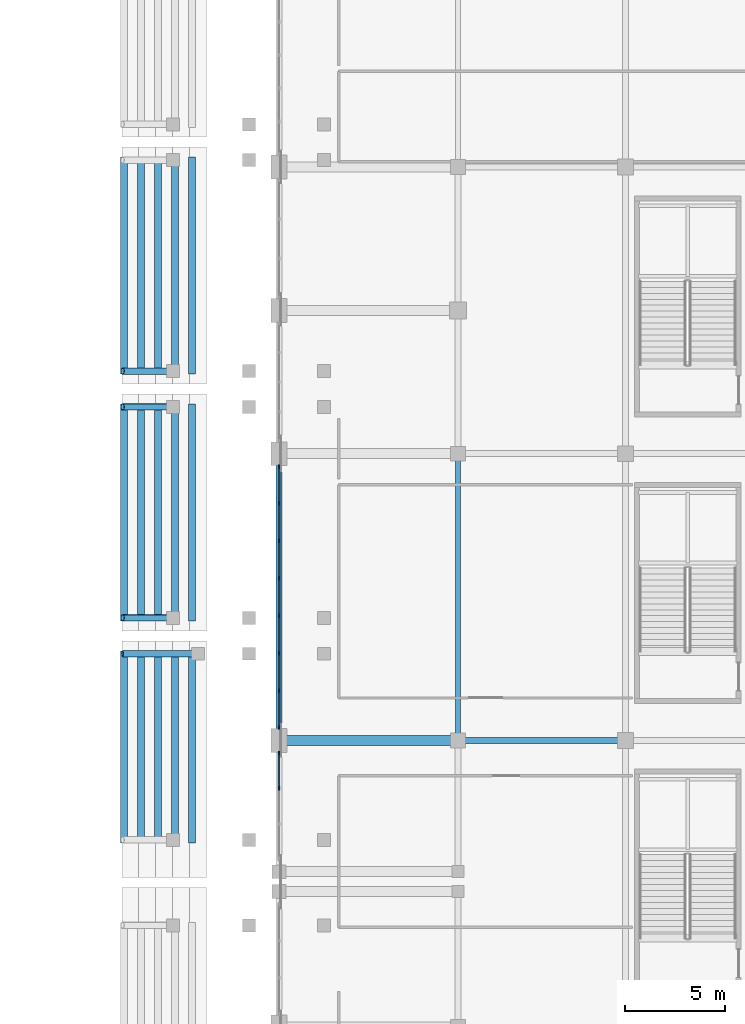
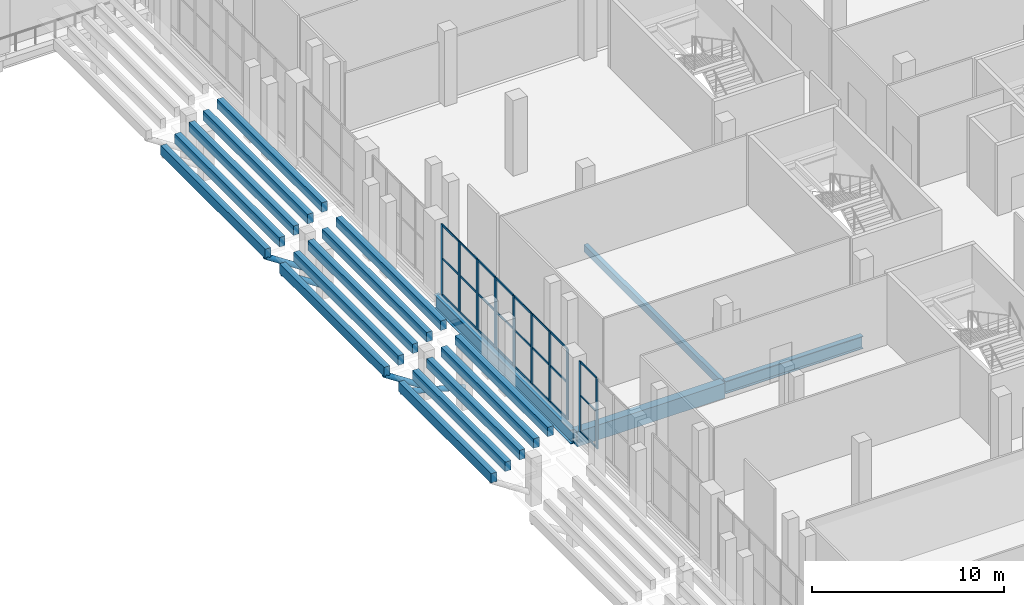
# One storey, part 53 of 142: 38 members, 19 beams, 2 elements without a shape of their own.
"""IFC4 building model written with IfcOpenShell, lengths in metres."""

from ifc_helpers import new_model, si_unit, direction, frame, origin, origin_2d, place, context, subcontext, project, spatial, rectangle, hollow_rectangle, hollow_circle, i_section, extrude, material, material_profile, profile_set, type_object, element, aggregate, save


model = new_model("IFC4")

# Units and contexts
model_context = context("Model", 3, precision=1e-05, world=origin(), true_north=direction((0.0, 1.0)))
body_context = subcontext(model_context, "Body", "Model", "MODEL_VIEW")
ifc_project = project(units=[si_unit("LENGTHUNIT", "METRE"), si_unit("AREAUNIT", "SQUARE_METRE"), si_unit("VOLUMEUNIT", "CUBIC_METRE"), si_unit("PLANEANGLEUNIT", "RADIAN"), si_unit("MASSUNIT", "GRAM", prefix="KILO")], contexts=[model_context])

# Site, building, storey
site_placement = place(None, origin())
site = spatial("IfcSite", under=ifc_project, at=site_placement, CompositionType="ELEMENT")
building_placement = place(site_placement, origin())
building = spatial("IfcBuilding", under=site, at=building_placement, Name="Koshinbarg Plaza Stadium", CompositionType="ELEMENT")
storey_placement = place(building_placement, frame((0.0, 0.0, 10.199951171875)))
storey = spatial("IfcBuildingStorey", under=building, at=storey_placement, Name="L02", CompositionType="ELEMENT", Elevation=10.199951171875)

# Beams
ifc_material_1 = material(Name="Concrete C40/50", Category="concrete")
ifc_material_profile_1 = material_profile(ifc_material_1, rectangle(XDim=0.35009765625, YDim=0.60009765625, at=origin_2d()), Name="RC 350x600")
ifc_profile_set_1 = profile_set([ifc_material_profile_1], Name="Concrete C40/50")
beam_type_1 = type_object("IfcBeamType", Name="BM-RCG-01", PredefinedType="SPANDREL", material=ifc_profile_set_1)
for number, where, z_axis, x_axis, name in (
    (1, (172.6201171875, 77.949951171875, 2.52001953125), (0.0, 1.0, 0.0), (-1.0, 0.0, 0.0), "Upper tier seat bearer UT-E05-R01"),
    (2, (173.469970703125, 77.949951171875, 2.9599609375), (0.0, 1.0, 0.0), (-1.0, 0.0, 0.0), "Upper tier seat bearer UT-E05-R02"),
    (3, (174.320068359375, 77.949951171875, 3.400146484375), (0.0, 1.0, 0.0), (-1.0, 0.0, 0.0), "Upper tier seat bearer UT-E05-R03"),
    (4, (175.169921875, 77.949951171875, 3.840087890625), (0.0, 1.0, 0.0), (-1.0, 0.0, 0.0), "Upper tier seat bearer UT-E05-R04"),
    (5, (176.02001953125, 77.949951171875, 4.280029296875), (0.0, 1.0, 0.0), (-1.0, 0.0, 0.0), "Upper tier seat bearer UT-E05-R05"),
):
    element("IfcBeam", number, at=place(storey_placement, frame(where, z_axis=z_axis, x_axis=x_axis)), inside=storey, type_object=beam_type_1, Name=name, PredefinedType="SPANDREL", context=body_context, shape_type="SweptSolid", body=[
        extrude(rectangle(XDim=0.35009765625, YDim=0.60009765625, at=origin_2d()), origin(), (0.0, 0.0, 1.0), 9.650146484375),
    ])
for number, where, z_axis, x_axis, name in (
    (6, (172.6201171875, 89.10009765625, 2.52001953125), (0.0, 1.0, 0.0), (-1.0, 0.0, 0.0), "Upper tier seat bearer UT-E06-R01"),
    (7, (173.469970703125, 89.10009765625, 2.9599609375), (0.0, 1.0, 0.0), (-1.0, 0.0, 0.0), "Upper tier seat bearer UT-E06-R02"),
    (8, (174.320068359375, 89.10009765625, 3.400146484375), (0.0, 1.0, 0.0), (-1.0, 0.0, 0.0), "Upper tier seat bearer UT-E06-R03"),
    (9, (175.169921875, 89.10009765625, 3.840087890625), (0.0, 1.0, 0.0), (-1.0, 0.0, 0.0), "Upper tier seat bearer UT-E06-R04"),
    (10, (176.02001953125, 89.10009765625, 4.280029296875), (0.0, 1.0, 0.0), (-1.0, 0.0, 0.0), "Upper tier seat bearer UT-E06-R05"),
    (11, (172.6201171875, 101.5, 2.52001953125), (0.0, 1.0, 0.0), (-1.0, 0.0, 0.0), "Upper tier seat bearer UT-E07-R01"),
    (12, (173.469970703125, 101.5, 2.9599609375), (0.0, 1.0, 0.0), (-1.0, 0.0, 0.0), "Upper tier seat bearer UT-E07-R02"),
    (13, (174.320068359375, 101.5, 3.400146484375), (0.0, 1.0, 0.0), (-1.0, 0.0, 0.0), "Upper tier seat bearer UT-E07-R03"),
    (14, (175.169921875, 101.5, 3.840087890625), (0.0, 1.0, 0.0), (-1.0, 0.0, 0.0), "Upper tier seat bearer UT-E07-R04"),
    (15, (176.02001953125, 101.5, 4.280029296875), (0.0, 1.0, 0.0), (-1.0, 0.0, 0.0), "Upper tier seat bearer UT-E07-R05"),
):
    element("IfcBeam", number, at=place(storey_placement, frame(where, z_axis=z_axis, x_axis=x_axis)), inside=storey, type_object=beam_type_1, Name=name, PredefinedType="SPANDREL", context=body_context, shape_type="SweptSolid", body=[
        extrude(rectangle(XDim=0.35009765625, YDim=0.60009765625, at=origin_2d()), origin(), (0.0, 0.0, 1.0), 10.89990234375),
    ])
ifc_material_profile_2 = material_profile(ifc_material_1, rectangle(XDim=0.5, YDim=0.949951171875, at=origin_2d()), Name="RC 500x950")
ifc_profile_set_2 = profile_set([ifc_material_profile_2], Name="Concrete C40/50")
beam_type_2 = type_object("IfcBeamType", Name="BM-RCG-06", PredefinedType="USERDEFINED", material=ifc_profile_set_2)
beam_1_placement = place(storey_placement, frame((180.4599609375, 83.10009765625, -0.77490234375), z_axis=(1.0, 0.0, 0.0), x_axis=(0.0, 1.0, 0.0)))
element("IfcBeam", 16, at=beam_1_placement, inside=storey, type_object=beam_type_2, Name="L02 X girder M/17-18", ObjectType="GIRDER", PredefinedType="USERDEFINED", context=body_context, shape_type="SweptSolid", body=[
    extrude(rectangle(XDim=0.5, YDim=0.949951171875, at=origin_2d()), origin(), (0.0, 0.0, 1.0), 8.880126953125),
])
ifc_material_2 = material(Name="Steel S355", Category="steel")
ifc_material_profile_3 = material_profile(ifc_material_2, i_section(OverallWidth=0.300048828125, OverallDepth=0.800048828125, WebThickness=0.017578125, FlangeThickness=0.032958984375, at=origin_2d()), Name="HEB 800")
ifc_profile_set_3 = profile_set([ifc_material_profile_3], Name="Steel S355")
beam_type_3 = type_object("IfcBeamType", Name="BM-SGIR-04", PredefinedType="USERDEFINED", material=ifc_profile_set_3)
beam_2_placement = place(storey_placement, frame((189.4599609375, 83.10009765625, -0.699951171875), z_axis=(1.0, 0.0, 0.0), x_axis=(0.0, 1.0, 0.0)))
element("IfcBeam", 17, at=beam_2_placement, inside=storey, type_object=beam_type_3, Name="L02 X girder M/18-19", ObjectType="GIRDER", PredefinedType="USERDEFINED", context=body_context, shape_type="SweptSolid", body=[
    extrude(i_section(OverallWidth=0.300048828125, OverallDepth=0.800048828125, WebThickness=0.017578125, FlangeThickness=0.032958984375, at=origin_2d()), origin(), (0.0, 0.0, 1.0), 8.280029296875),
])
ifc_material_profile_4 = material_profile(ifc_material_2, i_section(OverallWidth=0.300048828125, OverallDepth=0.89990234375, WebThickness=0.0185546875, FlangeThickness=0.034912109375, at=origin_2d()), Name="HEB 900")
ifc_profile_set_4 = profile_set([ifc_material_profile_4], Name="Steel S355")
beam_type_4 = type_object("IfcBeamType", Name="BM-SGIR-05", PredefinedType="USERDEFINED", material=ifc_profile_set_4)
beam_3_placement = place(storey_placement, frame((180.39990234375, 83.159912109375, -0.75), z_axis=(0.0, 1.0, 0.0), x_axis=(-1.0, 0.0, 0.0)))
element("IfcBeam", 18, at=beam_3_placement, inside=storey, type_object=beam_type_4, Name="L02 Y girder 17/M-N", ObjectType="GIRDER", PredefinedType="USERDEFINED", context=body_context, shape_type="SweptSolid", body=[
    extrude(i_section(OverallWidth=0.300048828125, OverallDepth=0.89990234375, WebThickness=0.0185546875, FlangeThickness=0.034912109375, at=origin_2d()), origin(), (0.0, 0.0, 1.0), 14.280029296875),
])
ifc_material_profile_5 = material_profile(ifc_material_2, hollow_rectangle(XDim=0.25, YDim=0.449951171875, WallThickness=0.01611328125, at=origin_2d()), Name="RHS 450x250x16")
ifc_profile_set_5 = profile_set([ifc_material_profile_5], Name="Steel S355")
beam_type_5 = type_object("IfcBeamType", Name="BM-SGIR-06", PredefinedType="USERDEFINED", material=ifc_profile_set_5)
beam_4_placement = place(storey_placement, frame((189.39990234375, 83.159912109375, -0.52490234375), z_axis=(0.0, 1.0, 0.0), x_axis=(-1.0, 0.0, 0.0)))
element("IfcBeam", 19, at=beam_4_placement, inside=storey, type_object=beam_type_5, Name="L02 Y girder 18/M-N", ObjectType="GIRDER", PredefinedType="USERDEFINED", context=body_context, shape_type="SweptSolid", body=[
    extrude(hollow_rectangle(XDim=0.25, YDim=0.449951171875, WallThickness=0.01611328125, at=origin_2d()), origin(), (0.0, 0.0, 1.0), 14.280029296875),
])

# Curtain wall, members
ifc_material_3 = material(Name="Thermally broken anodised aluminium and low-E double glazing", Category="aluminium")
curtain_wall_type_1 = type_object("IfcCurtainWallType", Name="CW-SYS-07", PredefinedType="NOTDEFINED", material=ifc_material_3)
curtain_wall_1_placement = place(storey_placement, origin())
curtain_wall_1 = element("IfcCurtainWall", 20, at=curtain_wall_1_placement, inside=storey, type_object=curtain_wall_type_1, Name="L02 unitised curtain wall CW-L02-086", PredefinedType="NOTDEFINED")
ifc_material_4 = material(Name="Anodised aluminium mullion", Category="aluminium")
ifc_material_profile_6 = material_profile(ifc_material_4, rectangle(XDim=0.070068359375, YDim=0.179931640625, at=origin_2d()), Name="ALU 70x180")
ifc_profile_set_6 = profile_set([ifc_material_profile_6], Name="Anodised aluminium mullion")
member_type_1 = type_object("IfcMemberType", Name="CW-MUL-03", PredefinedType="MULLION", material=ifc_profile_set_6)
member_1_placement = place(storey_placement, frame((180.39990234375, 80.693359375, 0.0), z_axis=(0.0, 0.0, 1.0), x_axis=(-1.0, 0.0, 0.0)))
member_1 = element("IfcMember", 21, at=member_1_placement, type_object=member_type_1, Name="CW07 mullion 3", PredefinedType="MULLION", context=body_context, shape_type="SweptSolid", body=[
    extrude(rectangle(XDim=0.070068359375, YDim=0.179931640625, at=origin_2d()), origin(), (0.0, 0.0, 1.0), 4.47998046875),
])
member_2_placement = place(storey_placement, frame((180.39990234375, 82.449951171875, 0.0), z_axis=(0.0, 0.0, 1.0), x_axis=(-1.0, 0.0, 0.0)))
member_2 = element("IfcMember", 22, at=member_2_placement, type_object=member_type_1, Name="CW07 mullion 4", PredefinedType="MULLION", context=body_context, shape_type="SweptSolid", body=[
    extrude(rectangle(XDim=0.070068359375, YDim=0.179931640625, at=origin_2d()), origin(), (0.0, 0.0, 1.0), 4.47998046875),
])

curtain_wall_type_2 = type_object("IfcCurtainWallType", Name="CW-SYS-08", PredefinedType="NOTDEFINED", material=ifc_material_3)
curtain_wall_2_placement = place(storey_placement, origin())
curtain_wall_2 = element("IfcCurtainWall", 23, at=curtain_wall_2_placement, inside=storey, type_object=curtain_wall_type_2, Name="L02 unitised curtain wall CW-L02-087", PredefinedType="NOTDEFINED")
ifc_material_profile_7 = material_profile(ifc_material_4, rectangle(XDim=0.070068359375, YDim=0.199951171875, at=origin_2d()), Name="ALU 70x200")
ifc_profile_set_7 = profile_set([ifc_material_profile_7], Name="Anodised aluminium mullion")
member_type_2 = type_object("IfcMemberType", Name="CW-MUL-04", PredefinedType="MULLION", material=ifc_profile_set_7)
member_3_placement = place(storey_placement, frame((180.39990234375, 83.75, 0.0), z_axis=(0.0, 0.0, 1.0), x_axis=(-1.0, 0.0, 0.0)))
member_3 = element("IfcMember", 24, at=member_3_placement, type_object=member_type_2, Name="CW08 mullion 1", PredefinedType="MULLION", context=body_context, shape_type="SweptSolid", body=[
    extrude(rectangle(XDim=0.070068359375, YDim=0.199951171875, at=origin_2d()), origin(), (0.0, 0.0, 1.0), 4.47998046875),
])
member_4_placement = place(storey_placement, frame((180.39990234375, 85.60009765625, 0.0), z_axis=(0.0, 0.0, 1.0), x_axis=(-1.0, 0.0, 0.0)))
member_4 = element("IfcMember", 25, at=member_4_placement, type_object=member_type_2, Name="CW08 mullion 2", PredefinedType="MULLION", context=body_context, shape_type="SweptSolid", body=[
    extrude(rectangle(XDim=0.070068359375, YDim=0.199951171875, at=origin_2d()), origin(), (0.0, 0.0, 1.0), 4.47998046875),
])
member_5_placement = place(storey_placement, frame((180.39990234375, 87.47998046875, 0.0), z_axis=(0.0, 0.0, 1.0), x_axis=(-1.0, 0.0, 0.0)))
member_5 = element("IfcMember", 26, at=member_5_placement, type_object=member_type_2, Name="CW08 mullion 3", PredefinedType="MULLION", context=body_context, shape_type="SweptSolid", body=[
    extrude(rectangle(XDim=0.070068359375, YDim=0.199951171875, at=origin_2d()), origin(), (0.0, 0.0, 1.0), 4.47998046875),
])
member_6_placement = place(storey_placement, frame((180.39990234375, 89.360107421875, 0.0), z_axis=(0.0, 0.0, 1.0), x_axis=(-1.0, 0.0, 0.0)))
member_6 = element("IfcMember", 27, at=member_6_placement, type_object=member_type_2, Name="CW08 mullion 4", PredefinedType="MULLION", context=body_context, shape_type="SweptSolid", body=[
    extrude(rectangle(XDim=0.070068359375, YDim=0.199951171875, at=origin_2d()), origin(), (0.0, 0.0, 1.0), 4.47998046875),
])
member_7_placement = place(storey_placement, frame((180.39990234375, 91.239990234375, 0.0), z_axis=(0.0, 0.0, 1.0), x_axis=(-1.0, 0.0, 0.0)))
member_7 = element("IfcMember", 28, at=member_7_placement, type_object=member_type_2, Name="CW08 mullion 5", PredefinedType="MULLION", context=body_context, shape_type="SweptSolid", body=[
    extrude(rectangle(XDim=0.070068359375, YDim=0.199951171875, at=origin_2d()), origin(), (0.0, 0.0, 1.0), 4.47998046875),
])
member_8_placement = place(storey_placement, frame((180.39990234375, 93.1201171875, 0.0), z_axis=(0.0, 0.0, 1.0), x_axis=(-1.0, 0.0, 0.0)))
member_8 = element("IfcMember", 29, at=member_8_placement, type_object=member_type_2, Name="CW08 mullion 6", PredefinedType="MULLION", context=body_context, shape_type="SweptSolid", body=[
    extrude(rectangle(XDim=0.070068359375, YDim=0.199951171875, at=origin_2d()), origin(), (0.0, 0.0, 1.0), 4.47998046875),
])
member_9_placement = place(storey_placement, frame((180.39990234375, 95.0, 0.0), z_axis=(0.0, 0.0, 1.0), x_axis=(-1.0, 0.0, 0.0)))
member_9 = element("IfcMember", 30, at=member_9_placement, type_object=member_type_2, Name="CW08 mullion 7", PredefinedType="MULLION", context=body_context, shape_type="SweptSolid", body=[
    extrude(rectangle(XDim=0.070068359375, YDim=0.199951171875, at=origin_2d()), origin(), (0.0, 0.0, 1.0), 4.47998046875),
])
member_10_placement = place(storey_placement, frame((180.39990234375, 96.85009765625, 0.0), z_axis=(0.0, 0.0, 1.0), x_axis=(-1.0, 0.0, 0.0)))
member_10 = element("IfcMember", 31, at=member_10_placement, type_object=member_type_2, Name="CW08 mullion 8", PredefinedType="MULLION", context=body_context, shape_type="SweptSolid", body=[
    extrude(rectangle(XDim=0.070068359375, YDim=0.199951171875, at=origin_2d()), origin(), (0.0, 0.0, 1.0), 4.47998046875),
])

# Member
ifc_material_5 = material(Name="Anodised aluminium transom", Category="aluminium")
ifc_material_profile_8 = material_profile(ifc_material_5, rectangle(XDim=0.06005859375, YDim=0.110107421875, at=origin_2d()), Name="ALU 60x110")
ifc_profile_set_8 = profile_set([ifc_material_profile_8], Name="Anodised aluminium transom")
member_type_3 = type_object("IfcMemberType", Name="CW-TRN-01", PredefinedType="USERDEFINED", material=ifc_profile_set_8)
member_11_placement = place(storey_placement, frame((180.39990234375, 80.723388671875, 0.030029296875), z_axis=(0.0, 1.0, 0.0), x_axis=(-1.0, 0.0, 0.0)))
member_11 = element("IfcMember", 32, at=member_11_placement, type_object=member_type_3, Name="CW07 transom 3.1", ObjectType="TRANSOM", PredefinedType="USERDEFINED", context=body_context, shape_type="SweptSolid", body=[
    extrude(rectangle(XDim=0.06005859375, YDim=0.110107421875, at=origin_2d()), origin(), (0.0, 0.0, 1.0), 1.696533203125),
])

member_12_placement = place(storey_placement, frame((180.39990234375, 80.723388671875, 2.32958984375), z_axis=(0.0, 1.0, 0.0), x_axis=(-1.0, 0.0, 0.0)))
member_12 = element("IfcMember", 33, at=member_12_placement, type_object=member_type_3, Name="CW07 transom 3.2", ObjectType="TRANSOM", PredefinedType="USERDEFINED", context=body_context, shape_type="SweptSolid", body=[
    extrude(rectangle(XDim=0.06005859375, YDim=0.110107421875, at=origin_2d()), origin(), (0.0, 0.0, 1.0), 1.696533203125),
])

member_13_placement = place(storey_placement, frame((180.39990234375, 80.723388671875, 4.449951171875), z_axis=(0.0, 1.0, 0.0), x_axis=(-1.0, 0.0, 0.0)))
member_13 = element("IfcMember", 34, at=member_13_placement, type_object=member_type_3, Name="CW07 transom 3.3", ObjectType="TRANSOM", PredefinedType="USERDEFINED", context=body_context, shape_type="SweptSolid", body=[
    extrude(rectangle(XDim=0.06005859375, YDim=0.110107421875, at=origin_2d()), origin(), (0.0, 0.0, 1.0), 1.696533203125),
])

aggregate(curtain_wall_1, [member_1, member_2, member_11, member_12, member_13])

ifc_material_profile_9 = material_profile(ifc_material_5, rectangle(XDim=0.06005859375, YDim=0.1298828125, at=origin_2d()), Name="ALU 60x130")
ifc_profile_set_9 = profile_set([ifc_material_profile_9], Name="Anodised aluminium transom")
member_type_4 = type_object("IfcMemberType", Name="CW-TRN-02", PredefinedType="USERDEFINED", material=ifc_profile_set_9)
member_14_placement = place(storey_placement, frame((180.39990234375, 83.780029296875, 0.030029296875), z_axis=(0.0, 1.0, 0.0), x_axis=(-1.0, 0.0, 0.0)))
member_14 = element("IfcMember", 35, at=member_14_placement, type_object=member_type_4, Name="CW08 transom 1.1", ObjectType="TRANSOM", PredefinedType="USERDEFINED", context=body_context, shape_type="SweptSolid", body=[
    extrude(rectangle(XDim=0.06005859375, YDim=0.1298828125, at=origin_2d()), origin(), (0.0, 0.0, 1.0), 1.7900390625),
])

member_15_placement = place(storey_placement, frame((180.39990234375, 83.780029296875, 2.32958984375), z_axis=(0.0, 1.0, 0.0), x_axis=(-1.0, 0.0, 0.0)))
member_15 = element("IfcMember", 36, at=member_15_placement, type_object=member_type_4, Name="CW08 transom 1.2", ObjectType="TRANSOM", PredefinedType="USERDEFINED", context=body_context, shape_type="SweptSolid", body=[
    extrude(rectangle(XDim=0.06005859375, YDim=0.1298828125, at=origin_2d()), origin(), (0.0, 0.0, 1.0), 1.7900390625),
])

member_16_placement = place(storey_placement, frame((180.39990234375, 83.780029296875, 4.449951171875), z_axis=(0.0, 1.0, 0.0), x_axis=(-1.0, 0.0, 0.0)))
member_16 = element("IfcMember", 37, at=member_16_placement, type_object=member_type_4, Name="CW08 transom 1.3", ObjectType="TRANSOM", PredefinedType="USERDEFINED", context=body_context, shape_type="SweptSolid", body=[
    extrude(rectangle(XDim=0.06005859375, YDim=0.1298828125, at=origin_2d()), origin(), (0.0, 0.0, 1.0), 1.7900390625),
])

member_17_placement = place(storey_placement, frame((180.39990234375, 85.6298828125, 0.030029296875), z_axis=(0.0, 1.0, 0.0), x_axis=(-1.0, 0.0, 0.0)))
member_17 = element("IfcMember", 38, at=member_17_placement, type_object=member_type_4, Name="CW08 transom 2.1", ObjectType="TRANSOM", PredefinedType="USERDEFINED", context=body_context, shape_type="SweptSolid", body=[
    extrude(rectangle(XDim=0.06005859375, YDim=0.1298828125, at=origin_2d()), origin(), (0.0, 0.0, 1.0), 1.820068359375),
])

member_18_placement = place(storey_placement, frame((180.39990234375, 85.6298828125, 2.32958984375), z_axis=(0.0, 1.0, 0.0), x_axis=(-1.0, 0.0, 0.0)))
member_18 = element("IfcMember", 39, at=member_18_placement, type_object=member_type_4, Name="CW08 transom 2.2", ObjectType="TRANSOM", PredefinedType="USERDEFINED", context=body_context, shape_type="SweptSolid", body=[
    extrude(rectangle(XDim=0.06005859375, YDim=0.1298828125, at=origin_2d()), origin(), (0.0, 0.0, 1.0), 1.820068359375),
])

member_19_placement = place(storey_placement, frame((180.39990234375, 85.6298828125, 4.449951171875), z_axis=(0.0, 1.0, 0.0), x_axis=(-1.0, 0.0, 0.0)))
member_19 = element("IfcMember", 40, at=member_19_placement, type_object=member_type_4, Name="CW08 transom 2.3", ObjectType="TRANSOM", PredefinedType="USERDEFINED", context=body_context, shape_type="SweptSolid", body=[
    extrude(rectangle(XDim=0.06005859375, YDim=0.1298828125, at=origin_2d()), origin(), (0.0, 0.0, 1.0), 1.820068359375),
])

member_20_placement = place(storey_placement, frame((180.39990234375, 87.510009765625, 0.030029296875), z_axis=(0.0, 1.0, 0.0), x_axis=(-1.0, 0.0, 0.0)))
member_20 = element("IfcMember", 41, at=member_20_placement, type_object=member_type_4, Name="CW08 transom 3.1", ObjectType="TRANSOM", PredefinedType="USERDEFINED", context=body_context, shape_type="SweptSolid", body=[
    extrude(rectangle(XDim=0.06005859375, YDim=0.1298828125, at=origin_2d()), origin(), (0.0, 0.0, 1.0), 1.820068359375),
])

member_21_placement = place(storey_placement, frame((180.39990234375, 87.510009765625, 2.32958984375), z_axis=(0.0, 1.0, 0.0), x_axis=(-1.0, 0.0, 0.0)))
member_21 = element("IfcMember", 42, at=member_21_placement, type_object=member_type_4, Name="CW08 transom 3.2", ObjectType="TRANSOM", PredefinedType="USERDEFINED", context=body_context, shape_type="SweptSolid", body=[
    extrude(rectangle(XDim=0.06005859375, YDim=0.1298828125, at=origin_2d()), origin(), (0.0, 0.0, 1.0), 1.820068359375),
])

member_22_placement = place(storey_placement, frame((180.39990234375, 87.510009765625, 4.449951171875), z_axis=(0.0, 1.0, 0.0), x_axis=(-1.0, 0.0, 0.0)))
member_22 = element("IfcMember", 43, at=member_22_placement, type_object=member_type_4, Name="CW08 transom 3.3", ObjectType="TRANSOM", PredefinedType="USERDEFINED", context=body_context, shape_type="SweptSolid", body=[
    extrude(rectangle(XDim=0.06005859375, YDim=0.1298828125, at=origin_2d()), origin(), (0.0, 0.0, 1.0), 1.820068359375),
])

member_23_placement = place(storey_placement, frame((180.39990234375, 89.389892578125, 0.030029296875), z_axis=(0.0, 1.0, 0.0), x_axis=(-1.0, 0.0, 0.0)))
member_23 = element("IfcMember", 44, at=member_23_placement, type_object=member_type_4, Name="CW08 transom 4.1", ObjectType="TRANSOM", PredefinedType="USERDEFINED", context=body_context, shape_type="SweptSolid", body=[
    extrude(rectangle(XDim=0.06005859375, YDim=0.1298828125, at=origin_2d()), origin(), (0.0, 0.0, 1.0), 1.820068359375),
])

member_24_placement = place(storey_placement, frame((180.39990234375, 89.389892578125, 2.32958984375), z_axis=(0.0, 1.0, 0.0), x_axis=(-1.0, 0.0, 0.0)))
member_24 = element("IfcMember", 45, at=member_24_placement, type_object=member_type_4, Name="CW08 transom 4.2", ObjectType="TRANSOM", PredefinedType="USERDEFINED", context=body_context, shape_type="SweptSolid", body=[
    extrude(rectangle(XDim=0.06005859375, YDim=0.1298828125, at=origin_2d()), origin(), (0.0, 0.0, 1.0), 1.820068359375),
])

member_25_placement = place(storey_placement, frame((180.39990234375, 89.389892578125, 4.449951171875), z_axis=(0.0, 1.0, 0.0), x_axis=(-1.0, 0.0, 0.0)))
member_25 = element("IfcMember", 46, at=member_25_placement, type_object=member_type_4, Name="CW08 transom 4.3", ObjectType="TRANSOM", PredefinedType="USERDEFINED", context=body_context, shape_type="SweptSolid", body=[
    extrude(rectangle(XDim=0.06005859375, YDim=0.1298828125, at=origin_2d()), origin(), (0.0, 0.0, 1.0), 1.820068359375),
])

member_26_placement = place(storey_placement, frame((180.39990234375, 91.27001953125, 0.030029296875), z_axis=(0.0, 1.0, 0.0), x_axis=(-1.0, 0.0, 0.0)))
member_26 = element("IfcMember", 47, at=member_26_placement, type_object=member_type_4, Name="CW08 transom 5.1", ObjectType="TRANSOM", PredefinedType="USERDEFINED", context=body_context, shape_type="SweptSolid", body=[
    extrude(rectangle(XDim=0.06005859375, YDim=0.1298828125, at=origin_2d()), origin(), (0.0, 0.0, 1.0), 1.820068359375),
])

member_27_placement = place(storey_placement, frame((180.39990234375, 91.27001953125, 2.32958984375), z_axis=(0.0, 1.0, 0.0), x_axis=(-1.0, 0.0, 0.0)))
member_27 = element("IfcMember", 48, at=member_27_placement, type_object=member_type_4, Name="CW08 transom 5.2", ObjectType="TRANSOM", PredefinedType="USERDEFINED", context=body_context, shape_type="SweptSolid", body=[
    extrude(rectangle(XDim=0.06005859375, YDim=0.1298828125, at=origin_2d()), origin(), (0.0, 0.0, 1.0), 1.820068359375),
])

member_28_placement = place(storey_placement, frame((180.39990234375, 91.27001953125, 4.449951171875), z_axis=(0.0, 1.0, 0.0), x_axis=(-1.0, 0.0, 0.0)))
member_28 = element("IfcMember", 49, at=member_28_placement, type_object=member_type_4, Name="CW08 transom 5.3", ObjectType="TRANSOM", PredefinedType="USERDEFINED", context=body_context, shape_type="SweptSolid", body=[
    extrude(rectangle(XDim=0.06005859375, YDim=0.1298828125, at=origin_2d()), origin(), (0.0, 0.0, 1.0), 1.820068359375),
])

member_29_placement = place(storey_placement, frame((180.39990234375, 93.14990234375, 0.030029296875), z_axis=(0.0, 1.0, 0.0), x_axis=(-1.0, 0.0, 0.0)))
member_29 = element("IfcMember", 50, at=member_29_placement, type_object=member_type_4, Name="CW08 transom 6.1", ObjectType="TRANSOM", PredefinedType="USERDEFINED", context=body_context, shape_type="SweptSolid", body=[
    extrude(rectangle(XDim=0.06005859375, YDim=0.1298828125, at=origin_2d()), origin(), (0.0, 0.0, 1.0), 1.820068359375),
])

member_30_placement = place(storey_placement, frame((180.39990234375, 93.14990234375, 2.32958984375), z_axis=(0.0, 1.0, 0.0), x_axis=(-1.0, 0.0, 0.0)))
member_30 = element("IfcMember", 51, at=member_30_placement, type_object=member_type_4, Name="CW08 transom 6.2", ObjectType="TRANSOM", PredefinedType="USERDEFINED", context=body_context, shape_type="SweptSolid", body=[
    extrude(rectangle(XDim=0.06005859375, YDim=0.1298828125, at=origin_2d()), origin(), (0.0, 0.0, 1.0), 1.820068359375),
])

member_31_placement = place(storey_placement, frame((180.39990234375, 93.14990234375, 4.449951171875), z_axis=(0.0, 1.0, 0.0), x_axis=(-1.0, 0.0, 0.0)))
member_31 = element("IfcMember", 52, at=member_31_placement, type_object=member_type_4, Name="CW08 transom 6.3", ObjectType="TRANSOM", PredefinedType="USERDEFINED", context=body_context, shape_type="SweptSolid", body=[
    extrude(rectangle(XDim=0.06005859375, YDim=0.1298828125, at=origin_2d()), origin(), (0.0, 0.0, 1.0), 1.820068359375),
])

member_32_placement = place(storey_placement, frame((180.39990234375, 95.030029296875, 0.030029296875), z_axis=(0.0, 1.0, 0.0), x_axis=(-1.0, 0.0, 0.0)))
member_32 = element("IfcMember", 53, at=member_32_placement, type_object=member_type_4, Name="CW08 transom 7.1", ObjectType="TRANSOM", PredefinedType="USERDEFINED", context=body_context, shape_type="SweptSolid", body=[
    extrude(rectangle(XDim=0.06005859375, YDim=0.1298828125, at=origin_2d()), origin(), (0.0, 0.0, 1.0), 1.7900390625),
])

member_33_placement = place(storey_placement, frame((180.39990234375, 95.030029296875, 2.32958984375), z_axis=(0.0, 1.0, 0.0), x_axis=(-1.0, 0.0, 0.0)))
member_33 = element("IfcMember", 54, at=member_33_placement, type_object=member_type_4, Name="CW08 transom 7.2", ObjectType="TRANSOM", PredefinedType="USERDEFINED", context=body_context, shape_type="SweptSolid", body=[
    extrude(rectangle(XDim=0.06005859375, YDim=0.1298828125, at=origin_2d()), origin(), (0.0, 0.0, 1.0), 1.7900390625),
])

member_34_placement = place(storey_placement, frame((180.39990234375, 95.030029296875, 4.449951171875), z_axis=(0.0, 1.0, 0.0), x_axis=(-1.0, 0.0, 0.0)))
member_34 = element("IfcMember", 55, at=member_34_placement, type_object=member_type_4, Name="CW08 transom 7.3", ObjectType="TRANSOM", PredefinedType="USERDEFINED", context=body_context, shape_type="SweptSolid", body=[
    extrude(rectangle(XDim=0.06005859375, YDim=0.1298828125, at=origin_2d()), origin(), (0.0, 0.0, 1.0), 1.7900390625),
])

aggregate(curtain_wall_2, [member_3, member_4, member_5, member_6, member_7, member_8, member_9, member_10, member_14, member_15, member_16, member_17, member_18, member_19, member_20, member_21, member_22, member_23, member_24, member_25, member_26, member_27, member_28, member_29, member_30, member_31, member_32, member_33, member_34])

# Members
ifc_material_profile_10 = material_profile(ifc_material_2, hollow_circle(Radius=0.161865234375, WallThickness=0.01416015625, at=origin_2d()), Name="CHS 323.9x14.2")
ifc_profile_set_10 = profile_set([ifc_material_profile_10], Name="Steel S355")
member_type_5 = type_object("IfcMemberType", Name="MB-BRACE-01", PredefinedType="BRACE", material=ifc_profile_set_10)
member_35_placement = place(storey_placement, frame((176.330078125, 87.449951171875, 1.2265625), z_axis=(-0.96496579401, 0.0, 0.262375716086), x_axis=(0.0, -1.0, 0.0)))
element("IfcMember", 56, at=member_35_placement, inside=storey, type_object=member_type_5, Name="Upper tier cantilever knee strut UT-E05-R", PredefinedType="BRACE", context=body_context, shape_type="SweptSolid", body=[
    extrude(hollow_circle(Radius=0.161865234375, WallThickness=0.01416015625, at=origin_2d()), origin(), (0.0, 0.0, 1.0), 3.927734375),
])
for number, where, z_axis, x_axis, name in (
    (57, (175.080078125, 89.25, 0.582763671875), (-0.8349280335, 0.0, 0.550359136269), (0.0, -1.0, 0.0), "Upper tier cantilever knee strut UT-E06-L"),
    (58, (175.080078125, 99.85009765625, 0.582763671875), (-0.8349280335, 0.0, 0.550359136269), (0.0, -1.0, 0.0), "Upper tier cantilever knee strut UT-E06-R"),
    (59, (175.080078125, 101.64990234375, 0.582763671875), (-0.8349280335, 0.0, 0.550359136269), (0.0, -1.0, 0.0), "Upper tier cantilever knee strut UT-E07-L"),
):
    element("IfcMember", number, at=place(storey_placement, frame(where, z_axis=z_axis, x_axis=x_axis)), inside=storey, type_object=member_type_5, Name=name, PredefinedType="BRACE", context=body_context, shape_type="SweptSolid", body=[
        extrude(hollow_circle(Radius=0.161865234375, WallThickness=0.01416015625, at=origin_2d()), origin(), (0.0, 0.0, 1.0), 3.042236328125),
    ])

save(model, "model.ifc")
